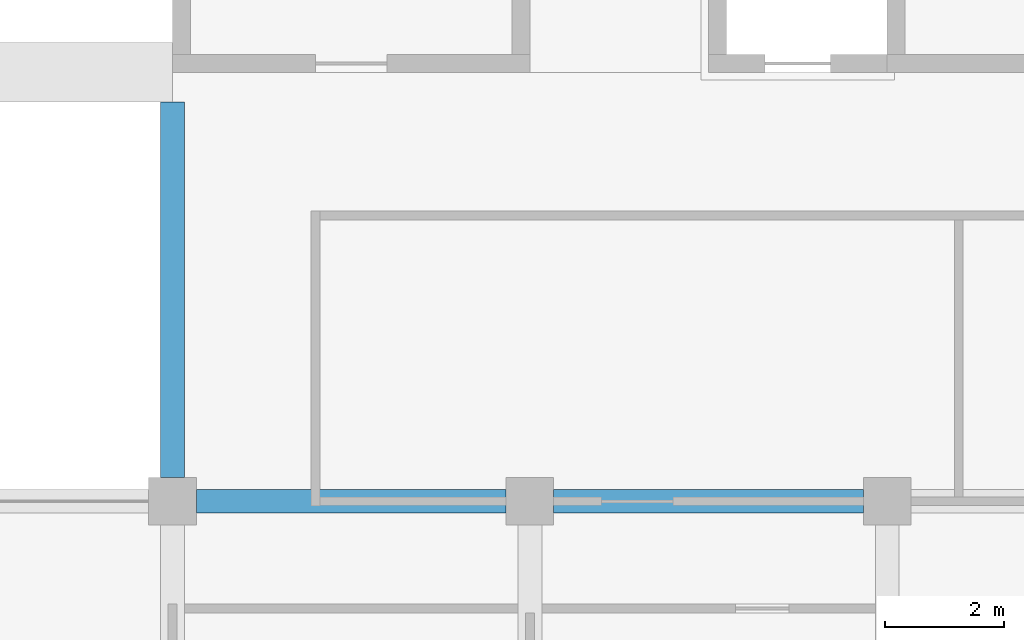
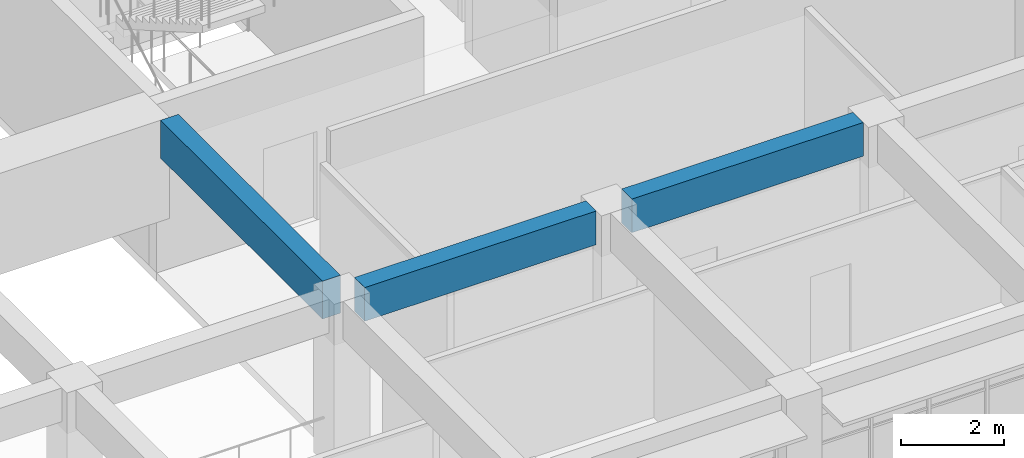
# One storey, part 15 of 47: 3 beams.
"""IFC4 building model written with IfcOpenShell, lengths in metres."""

from ifc_helpers import new_model, si_unit, direction, frame, origin, origin_2d, place, context, subcontext, project, spatial, rectangle, extrude, material, material_profile, profile_set, type_object, element, save


model = new_model("IFC4")

# Units and contexts
model_context = context("Model", 3, precision=1e-05, world=origin(), true_north=direction((0.0, 1.0)))
body_context = subcontext(model_context, "Body", "Model", "MODEL_VIEW")
ifc_project = project(units=[si_unit("LENGTHUNIT", "METRE"), si_unit("AREAUNIT", "SQUARE_METRE"), si_unit("VOLUMEUNIT", "CUBIC_METRE"), si_unit("PLANEANGLEUNIT", "RADIAN"), si_unit("MASSUNIT", "GRAM", prefix="KILO")], contexts=[model_context])

# Site, building, storey
site_placement = place(None, origin())
site = spatial("IfcSite", under=ifc_project, at=site_placement, CompositionType="ELEMENT")
building_placement = place(site_placement, origin())
building = spatial("IfcBuilding", under=site, at=building_placement, Name="Laocheng Heights Fire and Rescue Headquarters", CompositionType="ELEMENT")
storey_placement = place(building_placement, frame((0.0, 0.0, 16.800048828125)))
storey = spatial("IfcBuildingStorey", under=building, at=storey_placement, Name="L04", CompositionType="ELEMENT", Elevation=16.800048828125)

# Beams
ifc_material_1 = material(Name="Concrete C40", Category="concrete")
ifc_material_profile_1 = material_profile(ifc_material_1, rectangle(XDim=0.39990234375, YDim=0.800048828125, at=origin_2d()), Name="RC BEAM 400x800 HQ")
ifc_profile_set_1 = profile_set([ifc_material_profile_1], Name="Concrete C40")
beam_type_1 = type_object("IfcBeamType", Name="RC BEAM 400x800 HQ", PredefinedType="BEAM", material=ifc_profile_set_1)
for number, where, z_axis, x_axis, name in (
    (1, (66.39990234375, 57.60009765625, 3.599853515625), (1.0, 0.0, 0.0), (0.0, 1.0, 0.0), "HQ beam L04"),
    (2, (72.39990234375, 57.60009765625, 3.599853515625), (1.0, 0.0, 0.0), (0.0, 1.0, 0.0), "HQ beam L04"),
):
    element("IfcBeam", number, at=place(storey_placement, frame(where, z_axis=z_axis, x_axis=x_axis)), inside=storey, type_object=beam_type_1, Name=name, PredefinedType="BEAM", context=body_context, shape_type="SweptSolid", body=[
        extrude(rectangle(XDim=0.39990234375, YDim=0.800048828125, at=origin_2d()), origin(), (0.0, 0.0, 1.0), 5.2001953125),
    ])
ifc_material_2 = material(Name="Concrete C40", Category="concrete")
ifc_material_profile_2 = material_profile(ifc_material_2, rectangle(XDim=0.39990234375, YDim=0.89990234375, at=origin_2d()), Name="RC BEAM 400x900 HQ")
ifc_profile_set_2 = profile_set([ifc_material_profile_2], Name="Concrete C40")
beam_type_2 = type_object("IfcBeamType", Name="RC BEAM 400x900 HQ", PredefinedType="BEAM", material=ifc_profile_set_2)
beam_placement = place(storey_placement, frame((66.0, 58.0, 3.550048828125), z_axis=(0.0, 1.0, 0.0), x_axis=(-1.0, 0.0, 0.0)))
element("IfcBeam", 3, at=beam_placement, inside=storey, type_object=beam_type_2, Name="HQ beam L04", PredefinedType="BEAM", context=body_context, shape_type="SweptSolid", body=[
    extrude(rectangle(XDim=0.39990234375, YDim=0.89990234375, at=origin_2d()), origin(), (0.0, 0.0, 1.0), 6.300048828125),
])

save(model, "model.ifc")
